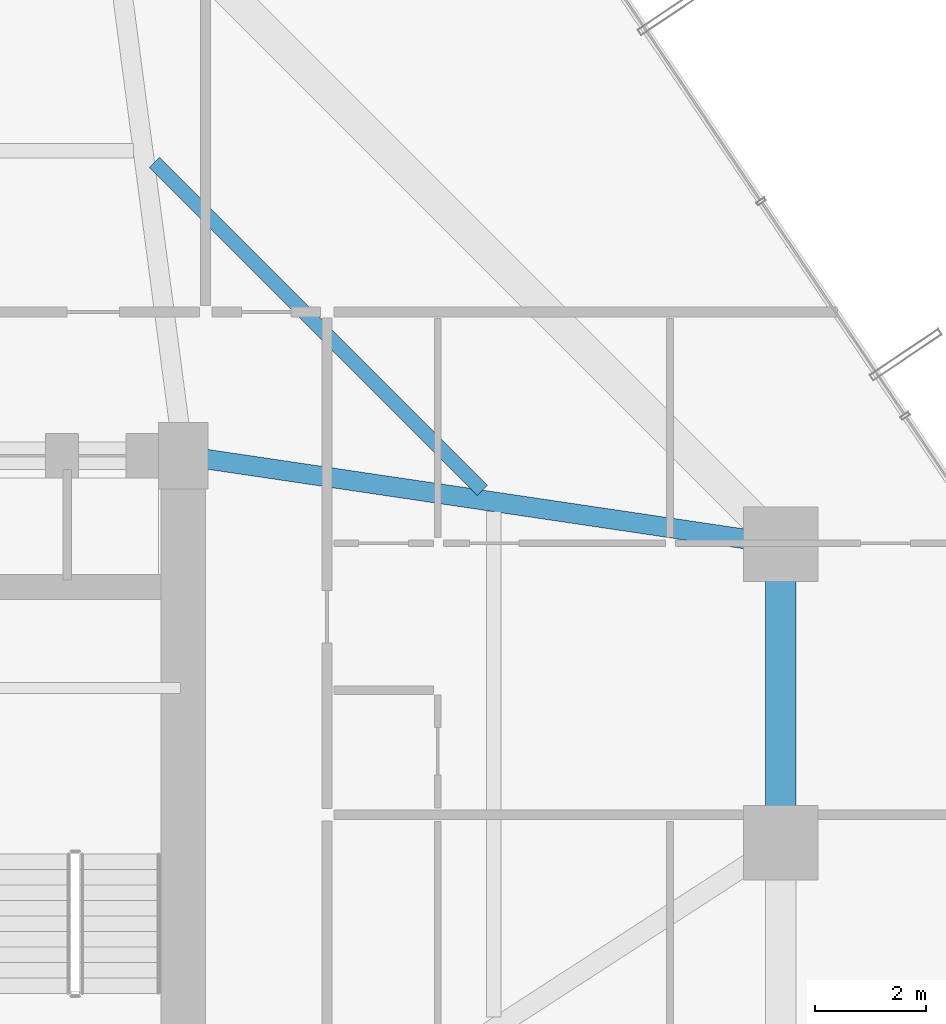
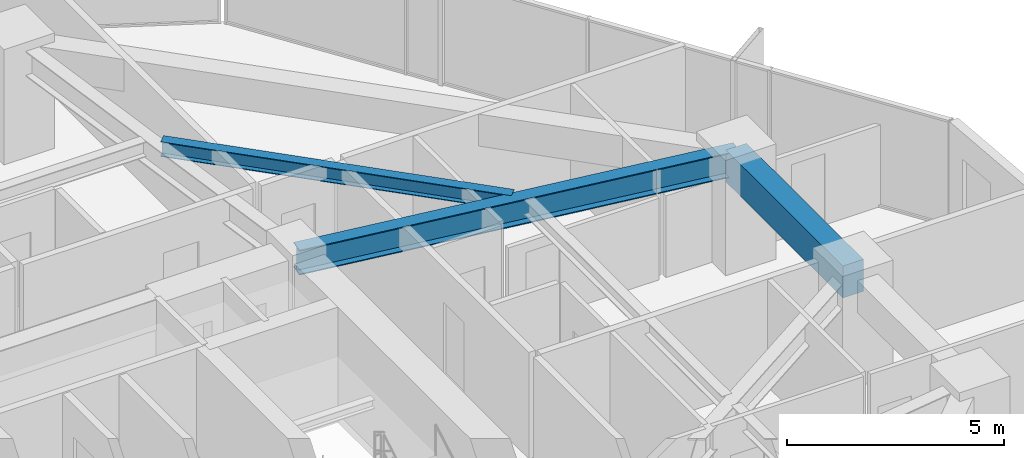
# One storey, part 19 of 37: 3 beams.
"""IFC4 building model written with IfcOpenShell, lengths in metres."""

import ifcopenshell
import ifcopenshell.guid

model = None  # the IFC model being written
_history = None  # IfcOwnerHistory: only IFC2X3 demands one
_inside = {}  # id of a spatial element -> (the spatial element, [elements in it])
_under = {}  # id of a project, library or spatial element -> (it, [spatial elements below it])
_declared = {}  # id of a project -> (the project, [libraries it declares])
_typed = {}  # id of a type object -> (the type object, [elements of that type])
_made_of = {}  # id of a material, layer set ... -> (it, [elements and type objects made of it])


def new_model(schema):
    """Start an empty IFC model of exactly this schema.

    Asked for "IFC4X3", IfcOpenShell would pick the latest addendum, in which some entities
    have other attributes; the version numbers below select the first issue.
    IFC2X3 requires an IfcOwnerHistory on every rooted entity: one is made here for all.
    """
    global model, _history
    if schema == "IFC4X3":
        model = ifcopenshell.file(schema_version=(4, 3, 0, 0))
    else:
        model = ifcopenshell.file(schema=schema)
    _inside.clear()
    _under.clear()
    _declared.clear()
    _typed.clear()
    _made_of.clear()
    _history = None
    if model.schema == "IFC2X3":
        org = make("IfcOrganization", Name="unknown")
        user = make(
            "IfcPersonAndOrganization",
            ThePerson=make("IfcPerson", FamilyName="unknown"),
            TheOrganization=org,
        )
        app = make(
            "IfcApplication",
            ApplicationDeveloper=org,
            Version="unknown",
            ApplicationFullName="unknown",
            ApplicationIdentifier="unknown",
        )
        _history = make(
            "IfcOwnerHistory",
            OwningUser=user,
            OwningApplication=app,
            ChangeAction="ADDED",
            CreationDate=0,
        )
    return model


def make(cls, **values):
    """One entity of the class cls with the attributes given. An attribute that is None is left unset."""
    return model.create_entity(
        cls, **{name: value for name, value in values.items() if value is not None}
    )


def rooted(cls, **values):
    """An entity with a GlobalId (a new one), such as an element, a storey or a relation."""
    return make(cls, GlobalId=ifcopenshell.guid.new(), OwnerHistory=_history, **values)


def si_unit(unit_type, name, prefix=None):
    """IfcSIUnit, for example si_unit("LENGTHUNIT", "METRE", prefix="MILLI")."""
    return make("IfcSIUnit", UnitType=unit_type, Prefix=prefix, Name=name)


def assignment(units):
    """IfcUnitAssignment: the units of a project."""
    return None if units is None else make("IfcUnitAssignment", Units=units)


def point(xyz):
    """IfcCartesianPoint."""
    return None if xyz is None else make("IfcCartesianPoint", Coordinates=xyz)


def direction(xyz):
    """IfcDirection."""
    return None if xyz is None else make("IfcDirection", DirectionRatios=xyz)


def frame(location, z_axis=None, x_axis=None):
    """IfcAxis2Placement3D, a coordinate frame: its origin and axes. An axis left out is left unset."""
    return make(
        "IfcAxis2Placement3D",
        Location=point(location),
        Axis=direction(z_axis),
        RefDirection=direction(x_axis),
    )


def frame_2d(location, x_axis=None):
    """IfcAxis2Placement2D, a coordinate frame in the plane: its origin and x axis."""
    return make(
        "IfcAxis2Placement2D", Location=point(location), RefDirection=direction(x_axis)
    )


def origin():
    """The frame at (0, 0, 0) with its axes left unset."""
    return frame((0.0, 0.0, 0.0))


def origin_2d():
    """The frame at (0, 0) in the plane with its x axis left unset."""
    return frame_2d((0.0, 0.0))


def place(relative_to, where):
    """IfcLocalPlacement: puts the frame where relative to a parent placement (None: the world)."""
    return make(
        "IfcLocalPlacement", PlacementRelTo=relative_to, RelativePlacement=where
    )


def context(
    kind, dimensions, precision=None, world=None, true_north=None, identifier=None
):
    """IfcGeometricRepresentationContext, for example the 3D "Model" context."""
    return make(
        "IfcGeometricRepresentationContext",
        ContextIdentifier=identifier,
        ContextType=kind,
        CoordinateSpaceDimension=dimensions,
        Precision=precision,
        WorldCoordinateSystem=world,
        TrueNorth=true_north,
    )


def subcontext(parent, identifier, kind, view, scale=None):
    """IfcGeometricRepresentationSubContext, for example "Body" below "Model"."""
    return make(
        "IfcGeometricRepresentationSubContext",
        ContextIdentifier=identifier,
        ContextType=kind,
        ParentContext=parent,
        TargetScale=scale,
        TargetView=view,
    )


def project(units=None, contexts=None):
    """IfcProject with its units and contexts."""
    return rooted(
        "IfcProject",
        Name="project",
        RepresentationContexts=contexts,
        UnitsInContext=assignment(units),
    )


def spatial(cls, under=None, at=None, **own):
    """A site, building, storey or space (cls), placed at a placement, below another one or the project."""
    s = rooted(cls, ObjectPlacement=at, **own)
    if under is not None:
        _under.setdefault(under.id(), (under, []))[1].append(s)
    return s


def profile(cls, at=None, kind="AREA", **sizes):
    """A parametric profile (cls). Its sizes go by their IFC names, for example OverallWidth=200.0."""
    return make(cls, ProfileType=kind, Position=at, **sizes)


def rectangle(**sizes):
    """IfcRectangleProfileDef."""
    return profile("IfcRectangleProfileDef", **sizes)


def i_section(**sizes):
    """IfcIShapeProfileDef."""
    return profile("IfcIShapeProfileDef", **sizes)


def extrude(swept, where, along, depth):
    """IfcExtrudedAreaSolid: the profile swept, set in the frame where, extruded along a direction by depth."""
    return make(
        "IfcExtrudedAreaSolid",
        SweptArea=swept,
        Position=where,
        ExtrudedDirection=direction(along),
        Depth=depth,
    )


def shape(context_of_items, identifier, shape_type, items):
    """IfcShapeRepresentation: the items that make up one representation, for example the "Body"."""
    return make(
        "IfcShapeRepresentation",
        ContextOfItems=context_of_items,
        RepresentationIdentifier=identifier,
        RepresentationType=shape_type,
        Items=items,
    )


def material(Name=None, Category=None):
    """IfcMaterial."""
    return make("IfcMaterial", Name=Name, Category=Category)


def material_profile(
    of_material, cross_section, Name=None, Category=None, Priority=None
):
    """IfcMaterialProfile: a cross section and its material."""
    return make(
        "IfcMaterialProfile",
        Name=Name,
        Material=of_material,
        Profile=cross_section,
        Priority=Priority,
        Category=Category,
    )


def profile_set(profiles, Name=None, composite=None):
    """IfcMaterialProfileSet."""
    return make(
        "IfcMaterialProfileSet",
        Name=Name,
        MaterialProfiles=profiles,
        CompositeProfile=composite,
    )


def made_of(thing, what):
    """Note that an element or type object is made of a material, layer set ...; save() writes the relation."""
    if what is not None:
        _made_of.setdefault(what.id(), (what, []))[1].append(thing)
    return thing


def type_object(cls, material=None, **own):
    """A type object (cls), such as IfcWallType, which elements share."""
    return made_of(rooted(cls, **own), material)


def element(
    cls,
    number,
    at=None,
    inside=None,
    cuts=None,
    type_object=None,
    material=None,
    context=None,
    identifier="Body",
    shape_type=None,
    held_by="IfcProductDefinitionShape",
    body=None,
    shapes=None,
    **own,
):
    """One element of the class cls, such as IfcWall. Its Tag is "e" and its number.

    at: its placement. inside: the storey or other place that contains it. cuts: it is an
    opening in that element (IfcRelVoidsElement). A single representation is given by context,
    identifier, shape_type and body (its items); several are given by shapes. held_by: the class
    of the entity that holds the representations. save() writes the other relations.
    """
    e = rooted(cls, Tag="e%d" % number, ObjectPlacement=at, **own)
    if body is not None:
        shapes = [shape(context, identifier, shape_type, body)]
    if shapes is not None:
        e.Representation = make(held_by, Representations=shapes)
    if inside is not None:
        _inside.setdefault(inside.id(), (inside, []))[1].append(e)
    if cuts is not None:
        rooted(
            "IfcRelVoidsElement", RelatingBuildingElement=cuts, RelatedOpeningElement=e
        )
    if type_object is not None:
        _typed.setdefault(type_object.id(), (type_object, []))[1].append(e)
    return made_of(e, material)


def aggregate(whole, parts):
    """IfcRelAggregates: a whole, such as a stair, and the parts it consists of."""
    return rooted("IfcRelAggregates", RelatingObject=whole, RelatedObjects=parts)


def save(model, path):
    """Write the relations noted so far, then the file.

    IfcRelAggregates (storeys below a building ...), IfcRelContainedInSpatialStructure (elements
    in a storey), IfcRelDefinesByType, IfcRelAssociatesMaterial and IfcRelDeclares: one each for
    every whole, place, type object, material and project.
    """
    for whole, parts in _under.values():
        aggregate(whole, parts)
    for where, things in _inside.values():
        rooted(
            "IfcRelContainedInSpatialStructure",
            RelatedElements=things,
            RelatingStructure=where,
        )
    for kind, things in _typed.values():
        rooted("IfcRelDefinesByType", RelatedObjects=things, RelatingType=kind)
    for what, things in _made_of.values():
        rooted("IfcRelAssociatesMaterial", RelatedObjects=things, RelatingMaterial=what)
    for by, libraries in _declared.values():
        rooted("IfcRelDeclares", RelatingContext=by, RelatedDefinitions=libraries)
    model.write(path)


model = new_model("IFC4")

# Units and contexts
model_context = context("Model", 3, precision=1e-05, world=origin(), true_north=direction((0.0, 1.0)))
body_context = subcontext(model_context, "Body", "Model", "MODEL_VIEW")
ifc_project = project(units=[si_unit("LENGTHUNIT", "METRE"), si_unit("AREAUNIT", "SQUARE_METRE"), si_unit("VOLUMEUNIT", "CUBIC_METRE"), si_unit("PLANEANGLEUNIT", "RADIAN"), si_unit("MASSUNIT", "GRAM", prefix="KILO")], contexts=[model_context])

# Site, building, storey
site_placement = place(None, origin())
site = spatial("IfcSite", under=ifc_project, at=site_placement, CompositionType="ELEMENT")
building_placement = place(site_placement, origin())
building = spatial("IfcBuilding", under=site, at=building_placement, Name="Veraguas Prism Commons", CompositionType="ELEMENT")
storey_placement = place(building_placement, frame((0.0, 0.0, 37.050048828125)))
storey = spatial("IfcBuildingStorey", under=building, at=storey_placement, Name="L09", CompositionType="ELEMENT", Elevation=37.050048828125)

# Beams
ifc_material_1 = material(Name="Steel ASTM A992 Grade 50", Category="steel")
ifc_material_profile_1 = material_profile(ifc_material_1, i_section(OverallWidth=0.260986328125, OverallDepth=0.419921875, WebThickness=0.01171875, FlangeThickness=0.019287109375, at=origin_2d()), Name="W410X114")
ifc_profile_set_1 = profile_set([ifc_material_profile_1], Name="Steel ASTM A992 Grade 50")
beam_type_1 = type_object("IfcBeamType", Name="Lower Floor Joist W410x114", PredefinedType="JOIST", material=ifc_profile_set_1)
beam_1_placement = place(storey_placement, frame((36.20703125, 30.376953125, 2.7900390625), z_axis=(-0.707092226423, 0.70712133565, 0.0), x_axis=(-0.70712133565, -0.707092226423, 0.0)))
element("IfcBeam", 1, at=beam_1_placement, inside=storey, type_object=beam_type_1, Name="Composite Floor Joist L09-JS03", PredefinedType="JOIST", context=body_context, shape_type="SweptSolid", body=[
    extrude(i_section(OverallWidth=0.260986328125, OverallDepth=0.419921875, WebThickness=0.01171875, FlangeThickness=0.019287109375, at=origin_2d()), origin(), (0.0, 0.0, 1.0), 8.386962890625),
])
ifc_material_2 = material(Name="Concrete C50/60", Category="concrete")
ifc_material_profile_2 = material_profile(ifc_material_2, rectangle(XDim=0.550048828125, YDim=0.89990234375, at=origin_2d()), Name="RC550X900")
ifc_profile_set_2 = profile_set([ifc_material_profile_2], Name="Concrete C50/60")
beam_type_2 = type_object("IfcBeamType", Name="Perimeter Spandrel Lower RC 550x900", PredefinedType="SPANDREL", material=ifc_profile_set_2)
beam_2_placement = place(storey_placement, frame((41.60009765625, 24.0, 2.550048828125), z_axis=(0.0, 1.0, 0.0), x_axis=(-1.0, 0.0, 0.0)))
element("IfcBeam", 2, at=beam_2_placement, inside=storey, type_object=beam_type_2, Name="Perimeter Spandrel Beam L09-SP02", PredefinedType="SPANDREL", context=body_context, shape_type="SweptSolid", body=[
    extrude(rectangle(XDim=0.550048828125, YDim=0.89990234375, at=origin_2d()), origin(), (0.0, 0.0, 1.0), 5.39990234375),
])
ifc_material_profile_3 = material_profile(ifc_material_1, i_section(OverallWidth=0.35595703125, OverallDepth=0.700927734375, WebThickness=0.016845703125, FlangeThickness=0.02734375, at=origin_2d()), Name="W690X240")
ifc_profile_set_3 = profile_set([ifc_material_profile_3], Name="Steel ASTM A992 Grade 50")
beam_type_3 = type_object("IfcBeamType", Name="Zone 1 Radial Girder W690x240", PredefinedType="BEAM", material=ifc_profile_set_3)
beam_3_placement = place(storey_placement, frame((41.60009765625, 29.39990234375, 2.6494140625), z_axis=(-0.989202261707, 0.146556765224, 0.0), x_axis=(-0.146556765224, -0.989202261707, 0.0)))
element("IfcBeam", 3, at=beam_3_placement, inside=storey, type_object=beam_type_3, Name="Radial Floor Girder L09-RD03", PredefinedType="BEAM", context=body_context, shape_type="SweptSolid", body=[
    extrude(i_section(OverallWidth=0.35595703125, OverallDepth=0.700927734375, WebThickness=0.016845703125, FlangeThickness=0.02734375, at=origin_2d()), origin(), (0.0, 0.0, 1.0), 10.91796875),
])

save(model, "model.ifc")
